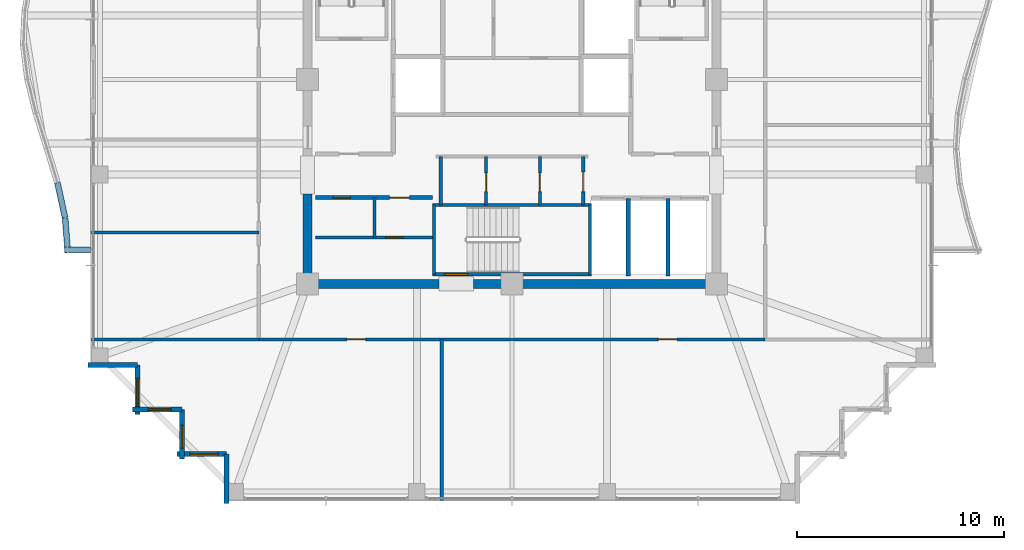
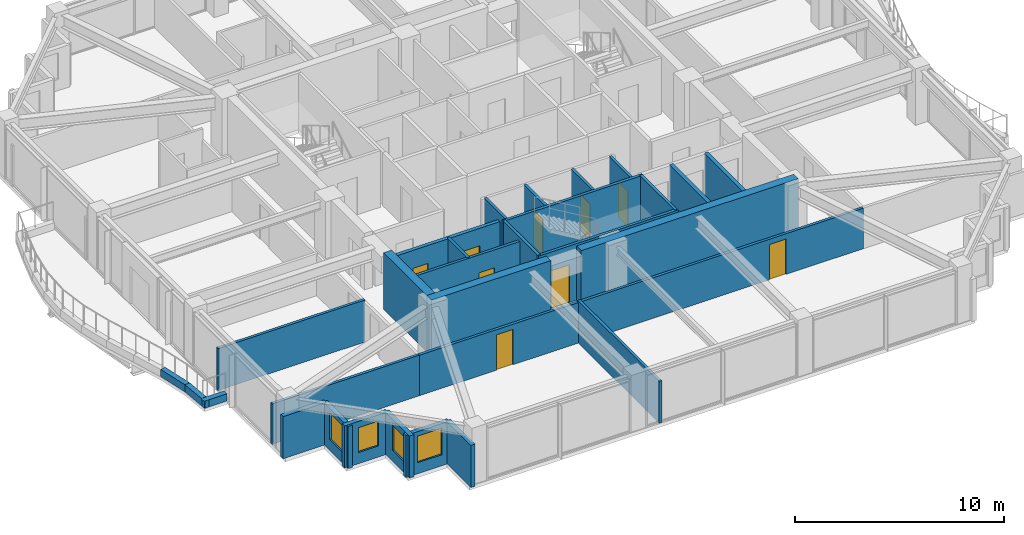
# One storey, part 28 of 34: 29 walls, 9 doors, 4 windows, 13 openings.
"""IFC4 building model written with IfcOpenShell, lengths in metres."""

from ifc_helpers import new_model, si_unit, direction, frame, frame_2d, origin, place, context, subcontext, project, spatial, rectangle, extrude, material, layer, layer_set, type_object, element, fill, save


model = new_model("IFC4")

# Units and contexts
model_context = context("Model", 3, precision=1e-05, world=origin(), true_north=direction((0.0, 1.0)))
body_context = subcontext(model_context, "Body", "Model", "MODEL_VIEW")
ifc_project = project(units=[si_unit("LENGTHUNIT", "METRE"), si_unit("AREAUNIT", "SQUARE_METRE"), si_unit("VOLUMEUNIT", "CUBIC_METRE"), si_unit("PLANEANGLEUNIT", "RADIAN"), si_unit("MASSUNIT", "GRAM", prefix="KILO")], contexts=[model_context])

# Site, building, storey
site_placement = place(None, origin())
site = spatial("IfcSite", under=ifc_project, at=site_placement, CompositionType="ELEMENT")
building_placement = place(site_placement, origin())
building = spatial("IfcBuilding", under=site, at=building_placement, Name="Kolvaren Belvedere", CompositionType="ELEMENT")
storey_placement = place(building_placement, frame((0.0, 0.0, 222.89990234375)))
storey = spatial("IfcBuildingStorey", under=building, at=storey_placement, Name="L65", CompositionType="ELEMENT", Elevation=222.89990234375)

# Walls
ifc_material_1 = material(Name="Concrete C50/60", Category="concrete")
ifc_layer_1 = layer(ifc_material_1, 0.449951171875)
ifc_layer_set_1 = layer_set([ifc_layer_1], Name="Concrete C50/60")
wall_type_1 = type_object("IfcWallType", Name="CW-CORE-450", PredefinedType="SHEAR", material=ifc_layer_set_1)
wall_1_placement = place(storey_placement, frame((10.125, -9.89990234375, 0.0), z_axis=(0.0, 0.0, 1.0), x_axis=(-1.0, 0.0, 0.0)))
element("IfcWall", 1, at=wall_1_placement, inside=storey, type_object=wall_type_1, Name="L65 South Core Shear Wall 1", PredefinedType="SHEAR", context=body_context, shape_type="SweptSolid", body=[
    extrude(rectangle(XDim=11.985107421875, YDim=0.449951171875, at=frame_2d((5.99267578125, 0.0))), origin(), (0.0, 0.0, 1.0), 3.300048828125),
])
wall_2_placement = place(storey_placement, frame((-3.5400390625, -9.89990234375, 0.0), z_axis=(0.0, 0.0, 1.0), x_axis=(-1.0, 0.0, 0.0)))
element("IfcWall", 2, at=wall_2_placement, inside=storey, type_object=wall_type_1, Name="L65 South Core Shear Wall 2", PredefinedType="SHEAR", context=body_context, shape_type="SweptSolid", body=[
    extrude(rectangle(XDim=6.5849609375, YDim=0.449951171875, at=frame_2d((3.29248046875, 0.0))), origin(), (0.0, 0.0, 1.0), 3.300048828125),
])
wall_3_placement = place(storey_placement, frame((-9.89990234375, -9.675048828125, 0.0), z_axis=(0.0, 0.0, 1.0), x_axis=(0.0, 1.0, 0.0)))
element("IfcWall", 3, at=wall_3_placement, inside=storey, type_object=wall_type_1, Name="L65 West Core Shear Wall 1", PredefinedType="SHEAR", context=body_context, shape_type="SweptSolid", body=[
    extrude(rectangle(XDim=4.125, YDim=0.449951171875, at=frame_2d((2.0625, 0.0))), origin(), (0.0, 0.0, 1.0), 3.300048828125),
])

# Wall, opening, door
ifc_material_2 = material(Name="Concrete C50/60", Category="concrete")
ifc_layer_2 = layer(ifc_material_2, 0.159912109375)
ifc_layer_set_2 = layer_set([ifc_layer_2], Name="Concrete C50/60")
wall_type_2 = type_object("IfcWallType", Name="CW-STAIR-160", PredefinedType="SHEAR", material=ifc_layer_set_2)
wall_4_placement = place(storey_placement, frame((3.860107421875, -9.429931640625, 0.0), z_axis=(0.0, 0.0, 1.0), x_axis=(-1.0, 0.0, 0.0)))
wall_4 = element("IfcWall", 4, at=wall_4_placement, inside=storey, type_object=wall_type_2, Name="L65 Stair ST-3 South Shear Wall", PredefinedType="SHEAR", context=body_context, shape_type="SweptSolid", body=[
    extrude(rectangle(XDim=7.72021484375, YDim=0.159912109375, at=frame_2d((3.860107421875, 0.0))), origin(), (0.0, 0.0, 1.0), 3.300048828125),
])
opening_1_placement = place(wall_4_placement, frame((6.010009765625, 0.0, 0.0)))
opening_1 = element("IfcOpeningElement", 5, at=opening_1_placement, cuts=wall_4, Name="Opening D-FD90", PredefinedType="OPENING", context=body_context, shape_type="SweptSolid", body=[
    extrude(rectangle(XDim=1.10009765625, YDim=2.199951171875, at=frame_2d((0.550048828125, 1.10009765625))), frame((0.0, 0.08984375, 0.0), z_axis=(0.0, -1.0, 0.0), x_axis=(1.0, 0.0, 0.0)), (0.0, 0.0, 1.0), 0.179931640625),
])
ifc_material_3 = material(Name="Painted hollow stainless steel", Category="steel")
door_type_1 = type_object("IfcDoorType", Name="DR-FD90-1100", OperationType="NOTDEFINED", PredefinedType="DOOR", material=ifc_material_3)
door_1_placement = place(opening_1_placement, origin())
door_1 = element("IfcDoor", 6, at=door_1_placement, inside=storey, type_object=door_type_1, Name="L65 Stair ST-3 Exit Door", OperationType="SINGLE_SWING_RIGHT", OverallHeight=2.199951171875, OverallWidth=1.10009765625, PredefinedType="DOOR", context=body_context, shape_type="SweptSolid", body=[
    extrude(rectangle(XDim=1.10009765625, YDim=2.199951171875, at=frame_2d((0.550048828125, 1.10009765625))), frame((0.0, 0.02490234375, 0.0), z_axis=(0.0, -1.0, 0.0), x_axis=(1.0, 0.0, 0.0)), (0.0, 0.0, 1.0), 0.050048828125),
])
fill(opening_1, door_1)

# Walls
wall_5_placement = place(storey_placement, frame((-3.860107421875, -6.080078125, 0.0), z_axis=(0.0, 0.0, 1.0), x_axis=(1.0, 0.0, 0.0)))
element("IfcWall", 7, at=wall_5_placement, inside=storey, type_object=wall_type_2, Name="L65 Stair ST-3 North Shear Wall", PredefinedType="SHEAR", context=body_context, shape_type="SweptSolid", body=[
    extrude(rectangle(XDim=7.72021484375, YDim=0.159912109375, at=frame_2d((3.860107421875, 0.0))), origin(), (0.0, 0.0, 1.0), 3.300048828125),
])
for number, where, z_axis, x_axis, name in (
    (8, (-3.780029296875, -9.429931640625, 0.0), (0.0, 0.0, 1.0), (0.0, 1.0, 0.0), "L65 Stair ST-3 West Shear Wall"),
    (9, (3.780029296875, -9.429931640625, 0.0), (0.0, 0.0, 1.0), (0.0, 1.0, 0.0), "L65 Stair ST-3 East Shear Wall"),
):
    element("IfcWall", number, at=place(storey_placement, frame(where, z_axis=z_axis, x_axis=x_axis)), inside=storey, type_object=wall_type_2, Name=name, PredefinedType="SHEAR", context=body_context, shape_type="SweptSolid", body=[
        extrude(rectangle(XDim=3.349853515625, YDim=0.159912109375, at=frame_2d((1.6748046875, 0.0))), origin(), (0.0, 0.0, 1.0), 3.300048828125),
    ])

# Wall, openings, doors
ifc_material_4 = material(Name="Gypsum fire-rated partition assembly", Category="gypsum")
ifc_layer_3 = layer(ifc_material_4, 0.14990234375)
ifc_layer_set_3 = layer_set([ifc_layer_3], Name="Gypsum fire-rated partition assembly")
wall_type_3 = type_object("IfcWallType", Name="WL-CORR-150", PredefinedType="PARTITIONING", material=ifc_layer_set_3)
wall_6_placement = place(storey_placement, frame((-12.260009765625, -12.580078125, 0.0), z_axis=(0.0, 0.0, 1.0), x_axis=(1.0, 0.0, 0.0)))
wall_6 = element("IfcWall", 10, at=wall_6_placement, inside=storey, type_object=wall_type_3, Name="L65 South Corridor Wall", PredefinedType="PARTITIONING", context=body_context, shape_type="SweptSolid", body=[
    extrude(rectangle(XDim=24.52001953125, YDim=0.14990234375, at=frame_2d((12.260009765625, 0.0))), origin(), (0.0, 0.0, 1.0), 2.369140625),
])
opening_2_placement = place(wall_6_placement, frame((4.27490234375, 0.0, 0.0)))
opening_2 = element("IfcOpeningElement", 11, at=opening_2_placement, cuts=wall_6, Name="Opening D-INT90", PredefinedType="OPENING", context=body_context, shape_type="SweptSolid", body=[
    extrude(rectangle(XDim=0.89990234375, YDim=2.06005859375, at=frame_2d((0.449951171875, 1.030029296875))), frame((0.0, 0.0849609375, 0.0), z_axis=(0.0, -1.0, 0.0), x_axis=(1.0, 0.0, 0.0)), (0.0, 0.0, 1.0), 0.169921875),
])
opening_3_placement = place(wall_6_placement, frame((19.344970703125, 0.0, 0.0)))
opening_3 = element("IfcOpeningElement", 12, at=opening_3_placement, cuts=wall_6, Name="Opening D-INT90", PredefinedType="OPENING", context=body_context, shape_type="SweptSolid", body=[
    extrude(rectangle(XDim=0.89990234375, YDim=2.06005859375, at=frame_2d((0.449951171875, 1.030029296875))), frame((0.0, 0.0849609375, 0.0), z_axis=(0.0, -1.0, 0.0), x_axis=(1.0, 0.0, 0.0)), (0.0, 0.0, 1.0), 0.169921875),
])
ifc_material_5 = material(Name="Stained Pacific white oak", Category="timber")
door_type_2 = type_object("IfcDoorType", Name="DR-INT-900", OperationType="NOTDEFINED", PredefinedType="DOOR", material=ifc_material_5)
door_2_placement = place(opening_2_placement, origin())
door_2 = element("IfcDoor", 13, at=door_2_placement, inside=storey, type_object=door_type_2, Name="L65 Lounge 6501 Door", OperationType="SINGLE_SWING_RIGHT", OverallHeight=2.06005859375, OverallWidth=0.89990234375, PredefinedType="DOOR", context=body_context, shape_type="SweptSolid", body=[
    extrude(rectangle(XDim=0.89990234375, YDim=2.06005859375, at=frame_2d((0.449951171875, 1.030029296875))), frame((0.0, 0.02490234375, 0.0), z_axis=(0.0, -1.0, 0.0), x_axis=(1.0, 0.0, 0.0)), (0.0, 0.0, 1.0), 0.050048828125),
])
fill(opening_2, door_2)
door_3_placement = place(opening_3_placement, origin())
door_3 = element("IfcDoor", 14, at=door_3_placement, inside=storey, type_object=door_type_2, Name="L65 Lounge 6502 Door", OperationType="SINGLE_SWING_LEFT", OverallHeight=2.06005859375, OverallWidth=0.89990234375, PredefinedType="DOOR", context=body_context, shape_type="SweptSolid", body=[
    extrude(rectangle(XDim=0.89990234375, YDim=2.06005859375, at=frame_2d((0.449951171875, 1.030029296875))), frame((0.0, 0.02490234375, 0.0), z_axis=(0.0, -1.0, 0.0), x_axis=(1.0, 0.0, 0.0)), (0.0, 0.0, 1.0), 0.050048828125),
])
fill(opening_3, door_3)

# Wall
ifc_material_6 = material(Name="Insulated pale-metal facade wall assembly", Category="aluminium")
ifc_layer_4 = layer(ifc_material_6, 0.239990234375)
ifc_layer_set_4 = layer_set([ifc_layer_4], Name="Insulated pale-metal facade wall assembly")
wall_type_4 = type_object("IfcWallType", Name="WL-EXT-240", PredefinedType="STANDARD", material=ifc_layer_set_4)
wall_7_placement = place(storey_placement, frame((-18.1298828125, -13.830078125, 0.0), z_axis=(0.0, 0.0, 1.0), x_axis=(-1.0, 0.0, 0.0)))
element("IfcWall", 15, at=wall_7_placement, inside=storey, type_object=wall_type_4, Name="L65 Serrated Corner Facade Wall 23", PredefinedType="STANDARD", context=body_context, shape_type="SweptSolid", body=[
    extrude(rectangle(XDim=2.39013671875, YDim=0.239990234375, at=frame_2d((1.195068359375, 0.0))), origin(), (0.0, 0.0, 1.0), 2.463134765625),
])

# Wall, opening, window
wall_8_placement = place(storey_placement, frame((-18.1298828125, -16.219970703125, 0.0), z_axis=(0.0, 0.0, 1.0), x_axis=(0.0, 1.0, 0.0)))
wall_8 = element("IfcWall", 16, at=wall_8_placement, inside=storey, type_object=wall_type_4, Name="L65 Serrated Corner Facade Wall 24", PredefinedType="STANDARD", context=body_context, shape_type="SweptSolid", body=[
    extrude(rectangle(XDim=2.389892578125, YDim=0.239990234375, at=frame_2d((1.19482421875, 0.0))), origin(), (0.0, 0.0, 1.0), 2.463134765625),
])
opening_4_placement = place(wall_8_placement, frame((0.39990234375, 0.0, 0.64990234375)))
opening_4 = element("IfcOpeningElement", 17, at=opening_4_placement, cuts=wall_8, Name="Opening W-1350", PredefinedType="OPENING", context=body_context, shape_type="SweptSolid", body=[
    extrude(rectangle(XDim=1.35009765625, YDim=1.550048828125, at=frame_2d((0.675048828125, 0.77490234375))), frame((0.0, 0.1298828125, 0.0), z_axis=(0.0, -1.0, 0.0), x_axis=(1.0, 0.0, 0.0)), (0.0, 0.0, 1.0), 0.260009765625),
])
ifc_material_7 = material(Name="Low-iron triple insulated glass", Category="glass")
window_type_1 = type_object("IfcWindowType", Name="WN-CORN-1350", PartitioningType="SINGLE_PANEL", PredefinedType="WINDOW", material=ifc_material_7)
window_1_placement = place(opening_4_placement, origin())
window_1 = element("IfcWindow", 18, at=window_1_placement, inside=storey, type_object=window_type_1, Name="L65 Serrated Corner Vision Window 24", OverallHeight=1.550048828125, OverallWidth=1.35009765625, PartitioningType="SINGLE_PANEL", PredefinedType="WINDOW", context=body_context, shape_type="SweptSolid", body=[
    extrude(rectangle(XDim=1.35009765625, YDim=1.550048828125, at=frame_2d((0.675048828125, 0.77490234375))), frame((0.0, 0.030029296875, 0.0), z_axis=(0.0, -1.0, 0.0), x_axis=(1.0, 0.0, 0.0)), (0.0, 0.0, 1.0), 0.06005859375),
])
fill(opening_4, window_1)

wall_9_placement = place(storey_placement, frame((-15.97998046875, -15.97998046875, 0.0), z_axis=(0.0, 0.0, 1.0), x_axis=(-1.0, 0.0, 0.0)))
wall_9 = element("IfcWall", 19, at=wall_9_placement, inside=storey, type_object=wall_type_4, Name="L65 Serrated Corner Facade Wall 25", PredefinedType="STANDARD", context=body_context, shape_type="SweptSolid", body=[
    extrude(rectangle(XDim=2.39013671875, YDim=0.239990234375, at=frame_2d((1.195068359375, 0.0))), origin(), (0.0, 0.0, 1.0), 2.463134765625),
])
opening_5_placement = place(wall_9_placement, frame((0.52490234375, 0.0, 0.64990234375)))
opening_5 = element("IfcOpeningElement", 20, at=opening_5_placement, cuts=wall_9, Name="Opening W-1100", PredefinedType="OPENING", context=body_context, shape_type="SweptSolid", body=[
    extrude(rectangle(XDim=1.10009765625, YDim=1.449951171875, at=frame_2d((0.550048828125, 0.72509765625))), frame((0.0, 0.1298828125, 0.0), z_axis=(0.0, -1.0, 0.0), x_axis=(1.0, 0.0, 0.0)), (0.0, 0.0, 1.0), 0.260009765625),
])
ifc_material_8 = material(Name="Low-iron triple insulated glass", Category="glass")
window_type_2 = type_object("IfcWindowType", Name="WN-CORN-1100", PartitioningType="SINGLE_PANEL", PredefinedType="WINDOW", material=ifc_material_8)
window_2_placement = place(opening_5_placement, origin())
window_2 = element("IfcWindow", 21, at=window_2_placement, inside=storey, type_object=window_type_2, Name="L65 Serrated Corner Vision Window 25", OverallHeight=1.449951171875, OverallWidth=1.10009765625, PartitioningType="SINGLE_PANEL", PredefinedType="WINDOW", context=body_context, shape_type="SweptSolid", body=[
    extrude(rectangle(XDim=1.10009765625, YDim=1.449951171875, at=frame_2d((0.550048828125, 0.72509765625))), frame((0.0, 0.030029296875, 0.0), z_axis=(0.0, -1.0, 0.0), x_axis=(1.0, 0.0, 0.0)), (0.0, 0.0, 1.0), 0.06005859375),
])
fill(opening_5, window_2)

wall_10_placement = place(storey_placement, frame((-15.97998046875, -18.3701171875, 0.0), z_axis=(0.0, 0.0, 1.0), x_axis=(0.0, 1.0, 0.0)))
wall_10 = element("IfcWall", 22, at=wall_10_placement, inside=storey, type_object=wall_type_4, Name="L65 Serrated Corner Facade Wall 26", PredefinedType="STANDARD", context=body_context, shape_type="SweptSolid", body=[
    extrude(rectangle(XDim=2.39013671875, YDim=0.239990234375, at=frame_2d((1.195068359375, 0.0))), origin(), (0.0, 0.0, 1.0), 2.463134765625),
])
opening_6_placement = place(wall_10_placement, frame((0.52490234375, 0.0, 0.64990234375)))
opening_6 = element("IfcOpeningElement", 23, at=opening_6_placement, cuts=wall_10, Name="Opening W-1100", PredefinedType="OPENING", context=body_context, shape_type="SweptSolid", body=[
    extrude(rectangle(XDim=1.10009765625, YDim=1.449951171875, at=frame_2d((0.550048828125, 0.72509765625))), frame((0.0, 0.1298828125, 0.0), z_axis=(0.0, -1.0, 0.0), x_axis=(1.0, 0.0, 0.0)), (0.0, 0.0, 1.0), 0.260009765625),
])
window_3_placement = place(opening_6_placement, origin())
window_3 = element("IfcWindow", 24, at=window_3_placement, inside=storey, type_object=window_type_2, Name="L65 Serrated Corner Vision Window 26", OverallHeight=1.449951171875, OverallWidth=1.10009765625, PartitioningType="SINGLE_PANEL", PredefinedType="WINDOW", context=body_context, shape_type="SweptSolid", body=[
    extrude(rectangle(XDim=1.10009765625, YDim=1.449951171875, at=frame_2d((0.550048828125, 0.72509765625))), frame((0.0, 0.030029296875, 0.0), z_axis=(0.0, -1.0, 0.0), x_axis=(1.0, 0.0, 0.0)), (0.0, 0.0, 1.0), 0.06005859375),
])
fill(opening_6, window_3)

wall_11_placement = place(storey_placement, frame((-13.830078125, -18.1298828125, 0.0), z_axis=(0.0, 0.0, 1.0), x_axis=(-1.0, 0.0, 0.0)))
wall_11 = element("IfcWall", 25, at=wall_11_placement, inside=storey, type_object=wall_type_4, Name="L65 Serrated Corner Facade Wall 27", PredefinedType="STANDARD", context=body_context, shape_type="SweptSolid", body=[
    extrude(rectangle(XDim=2.389892578125, YDim=0.239990234375, at=frame_2d((1.19482421875, 0.0))), origin(), (0.0, 0.0, 1.0), 2.463134765625),
])
opening_7_placement = place(wall_11_placement, frame((0.39990234375, 0.0, 0.64990234375)))
opening_7 = element("IfcOpeningElement", 26, at=opening_7_placement, cuts=wall_11, Name="Opening W-1350", PredefinedType="OPENING", context=body_context, shape_type="SweptSolid", body=[
    extrude(rectangle(XDim=1.35009765625, YDim=1.550048828125, at=frame_2d((0.675048828125, 0.77490234375))), frame((0.0, 0.1298828125, 0.0), z_axis=(0.0, -1.0, 0.0), x_axis=(1.0, 0.0, 0.0)), (0.0, 0.0, 1.0), 0.260009765625),
])
window_4_placement = place(opening_7_placement, origin())
window_4 = element("IfcWindow", 27, at=window_4_placement, inside=storey, type_object=window_type_1, Name="L65 Serrated Corner Vision Window 27", OverallHeight=1.550048828125, OverallWidth=1.35009765625, PartitioningType="SINGLE_PANEL", PredefinedType="WINDOW", context=body_context, shape_type="SweptSolid", body=[
    extrude(rectangle(XDim=1.35009765625, YDim=1.550048828125, at=frame_2d((0.675048828125, 0.77490234375))), frame((0.0, 0.030029296875, 0.0), z_axis=(0.0, -1.0, 0.0), x_axis=(1.0, 0.0, 0.0)), (0.0, 0.0, 1.0), 0.06005859375),
])
fill(opening_7, window_4)

# Wall
wall_12_placement = place(storey_placement, frame((-13.830078125, -20.52001953125, 0.0), z_axis=(0.0, 0.0, 1.0), x_axis=(0.0, 1.0, 0.0)))
element("IfcWall", 28, at=wall_12_placement, inside=storey, type_object=wall_type_4, Name="L65 Serrated Corner Facade Wall 28", PredefinedType="STANDARD", context=body_context, shape_type="SweptSolid", body=[
    extrude(rectangle(XDim=2.39013671875, YDim=0.239990234375, at=frame_2d((1.195068359375, 0.0))), origin(), (0.0, 0.0, 1.0), 2.463134765625),
])

# Wall, opening, door
ifc_material_9 = material(Name="Gypsum acoustic partition assembly", Category="gypsum")
ifc_layer_5 = layer(ifc_material_9, 0.14990234375)
ifc_layer_set_5 = layer_set([ifc_layer_5], Name="Gypsum acoustic partition assembly")
wall_type_5 = type_object("IfcWallType", Name="WL-PART-150", PredefinedType="PARTITIONING", material=ifc_layer_set_5)
wall_13_placement = place(storey_placement, frame((-9.52001953125, -7.64990234375, 0.0), z_axis=(0.0, 0.0, 1.0), x_axis=(1.0, 0.0, 0.0)))
wall_13 = element("IfcWall", 29, at=wall_13_placement, inside=storey, type_object=wall_type_5, Name="L65 Reclaimed Mid H-Divider", PredefinedType="PARTITIONING", context=body_context, shape_type="SweptSolid", body=[
    extrude(rectangle(XDim=5.659912109375, YDim=0.14990234375, at=frame_2d((2.830078125, 0.0))), origin(), (0.0, 0.0, 1.0), 3.080078125),
])
opening_8_placement = place(wall_13_placement, frame((3.39990234375, 0.0, 0.0)))
opening_8 = element("IfcOpeningElement", 30, at=opening_8_placement, cuts=wall_13, Name="Opening D-INT85", PredefinedType="OPENING", context=body_context, shape_type="SweptSolid", body=[
    extrude(rectangle(XDim=0.85009765625, YDim=2.030029296875, at=frame_2d((0.425048828125, 1.01513671875))), frame((0.0, 0.0849609375, 0.0), z_axis=(0.0, -1.0, 0.0), x_axis=(1.0, 0.0, 0.0)), (0.0, 0.0, 1.0), 0.169921875),
])
ifc_material_10 = material(Name="Stained Pacific white oak", Category="timber")
door_type_3 = type_object("IfcDoorType", Name="DR-INT-850", OperationType="NOTDEFINED", PredefinedType="DOOR", material=ifc_material_10)
door_4_placement = place(opening_8_placement, origin())
door_4 = element("IfcDoor", 31, at=door_4_placement, inside=storey, type_object=door_type_3, Name="L65 Tea Pantry Door", OperationType="SINGLE_SWING_LEFT", OverallHeight=2.030029296875, OverallWidth=0.85009765625, PredefinedType="DOOR", context=body_context, shape_type="SweptSolid", body=[
    extrude(rectangle(XDim=0.85009765625, YDim=2.030029296875, at=frame_2d((0.425048828125, 1.01513671875))), frame((0.0, 0.02490234375, 0.0), z_axis=(0.0, -1.0, 0.0), x_axis=(1.0, 0.0, 0.0)), (0.0, 0.0, 1.0), 0.050048828125),
])
fill(opening_8, door_4)

# Wall
wall_14_placement = place(storey_placement, frame((-6.64990234375, -7.64990234375, 0.0), z_axis=(0.0, 0.0, 1.0), x_axis=(0.0, 1.0, 0.0)))
element("IfcWall", 32, at=wall_14_placement, inside=storey, type_object=wall_type_5, Name="L65 Reclaimed Mid V-Divider", PredefinedType="PARTITIONING", context=body_context, shape_type="SweptSolid", body=[
    extrude(rectangle(XDim=1.929931640625, YDim=0.14990234375, at=frame_2d((0.96484375, 0.0))), origin(), (0.0, 0.0, 1.0), 3.080078125),
])

# Wall, opening, door
wall_15_placement = place(storey_placement, frame((3.449951171875, -6.080078125, 0.0), z_axis=(0.0, 0.0, 1.0), x_axis=(0.0, 1.0, 0.0)))
wall_15 = element("IfcWall", 33, at=wall_15_placement, inside=storey, type_object=wall_type_5, Name="L65 South Core Service East Wall", PredefinedType="PARTITIONING", context=body_context, shape_type="SweptSolid", body=[
    extrude(rectangle(XDim=2.360107421875, YDim=0.14990234375, at=frame_2d((1.18017578125, 0.0))), origin(), (0.0, 0.0, 1.0), 3.080078125),
])
opening_9_placement = place(wall_15_placement, frame((0.64990234375, 0.0, 0.0)))
opening_9 = element("IfcOpeningElement", 34, at=opening_9_placement, cuts=wall_15, Name="Opening D-FD60", PredefinedType="OPENING", context=body_context, shape_type="SweptSolid", body=[
    extrude(rectangle(XDim=0.949951171875, YDim=2.06005859375, at=frame_2d((0.47509765625, 1.030029296875))), frame((0.0, 0.0849609375, 0.0), z_axis=(0.0, -1.0, 0.0), x_axis=(1.0, 0.0, 0.0)), (0.0, 0.0, 1.0), 0.169921875),
])
ifc_material_11 = material(Name="Acoustic white-oak fire door leaf", Category="timber")
door_type_4 = type_object("IfcDoorType", Name="DR-FD60-950", OperationType="NOTDEFINED", PredefinedType="DOOR", material=ifc_material_11)
door_5_placement = place(opening_9_placement, origin())
door_5 = element("IfcDoor", 35, at=door_5_placement, inside=storey, type_object=door_type_4, Name="L65 Core Service Room Door", OperationType="SINGLE_SWING_LEFT", OverallHeight=2.06005859375, OverallWidth=0.949951171875, PredefinedType="DOOR", context=body_context, shape_type="SweptSolid", body=[
    extrude(rectangle(XDim=0.949951171875, YDim=2.06005859375, at=frame_2d((0.47509765625, 1.030029296875))), frame((0.0, 0.02490234375, 0.0), z_axis=(0.0, -1.0, 0.0), x_axis=(1.0, 0.0, 0.0)), (0.0, 0.0, 1.0), 0.050048828125),
])
fill(opening_9, door_5)

# Wall
wall_16_placement = place(storey_placement, frame((-3.449951171875, -6.080078125, 0.0), z_axis=(0.0, 0.0, 1.0), x_axis=(0.0, 1.0, 0.0)))
element("IfcWall", 36, at=wall_16_placement, inside=storey, type_object=wall_type_5, Name="L65 South Core Service West Wall", PredefinedType="PARTITIONING", context=body_context, shape_type="SweptSolid", body=[
    extrude(rectangle(XDim=2.360107421875, YDim=0.14990234375, at=frame_2d((1.18017578125, 0.0))), origin(), (0.0, 0.0, 1.0), 3.080078125),
])

# Wall, opening, door
wall_17_placement = place(storey_placement, frame((1.35009765625, -6.080078125, 0.0), z_axis=(0.0, 0.0, 1.0), x_axis=(0.0, 1.0, 0.0)))
wall_17 = element("IfcWall", 37, at=wall_17_placement, inside=storey, type_object=wall_type_5, Name="L65 Core Service Divider 1", PredefinedType="PARTITIONING", context=body_context, shape_type="SweptSolid", body=[
    extrude(rectangle(XDim=2.360107421875, YDim=0.14990234375, at=frame_2d((1.18017578125, 0.0))), origin(), (0.0, 0.0, 1.0), 3.080078125),
])
opening_10_placement = place(wall_17_placement, frame((0.64990234375, 0.0, 0.0)))
opening_10 = element("IfcOpeningElement", 38, at=opening_10_placement, cuts=wall_17, Name="Opening D-INT90", PredefinedType="OPENING", context=body_context, shape_type="SweptSolid", body=[
    extrude(rectangle(XDim=0.89990234375, YDim=2.06005859375, at=frame_2d((0.449951171875, 1.030029296875))), frame((0.0, 0.0849609375, 0.0), z_axis=(0.0, -1.0, 0.0), x_axis=(1.0, 0.0, 0.0)), (0.0, 0.0, 1.0), 0.169921875),
])
door_6_placement = place(opening_10_placement, origin())
door_6 = element("IfcDoor", 39, at=door_6_placement, inside=storey, type_object=door_type_2, Name="L65 Data Closet Door", OperationType="SINGLE_SWING_RIGHT", OverallHeight=2.06005859375, OverallWidth=0.89990234375, PredefinedType="DOOR", context=body_context, shape_type="SweptSolid", body=[
    extrude(rectangle(XDim=0.89990234375, YDim=2.06005859375, at=frame_2d((0.449951171875, 1.030029296875))), frame((0.0, 0.02490234375, 0.0), z_axis=(0.0, -1.0, 0.0), x_axis=(1.0, 0.0, 0.0)), (0.0, 0.0, 1.0), 0.050048828125),
])
fill(opening_10, door_6)

wall_18_placement = place(storey_placement, frame((-1.25, -6.080078125, 0.0), z_axis=(0.0, 0.0, 1.0), x_axis=(0.0, 1.0, 0.0)))
wall_18 = element("IfcWall", 40, at=wall_18_placement, inside=storey, type_object=wall_type_5, Name="L65 Core Service Divider 2", PredefinedType="PARTITIONING", context=body_context, shape_type="SweptSolid", body=[
    extrude(rectangle(XDim=2.360107421875, YDim=0.14990234375, at=frame_2d((1.18017578125, 0.0))), origin(), (0.0, 0.0, 1.0), 3.080078125),
])
opening_11_placement = place(wall_18_placement, frame((0.64990234375, 0.0, 0.0)))
opening_11 = element("IfcOpeningElement", 41, at=opening_11_placement, cuts=wall_18, Name="Opening D-INT90", PredefinedType="OPENING", context=body_context, shape_type="SweptSolid", body=[
    extrude(rectangle(XDim=0.89990234375, YDim=2.06005859375, at=frame_2d((0.449951171875, 1.030029296875))), frame((0.0, 0.0849609375, 0.0), z_axis=(0.0, -1.0, 0.0), x_axis=(1.0, 0.0, 0.0)), (0.0, 0.0, 1.0), 0.169921875),
])
door_7_placement = place(opening_11_placement, origin())
door_7 = element("IfcDoor", 42, at=door_7_placement, inside=storey, type_object=door_type_2, Name="L65 Janitor Room Door", OperationType="SINGLE_SWING_LEFT", OverallHeight=2.06005859375, OverallWidth=0.89990234375, PredefinedType="DOOR", context=body_context, shape_type="SweptSolid", body=[
    extrude(rectangle(XDim=0.89990234375, YDim=2.06005859375, at=frame_2d((0.449951171875, 1.030029296875))), frame((0.0, 0.02490234375, 0.0), z_axis=(0.0, -1.0, 0.0), x_axis=(1.0, 0.0, 0.0)), (0.0, 0.0, 1.0), 0.050048828125),
])
fill(opening_11, door_7)

# Walls
wall_19_placement = place(storey_placement, frame((-20.3798828125, -12.580078125, 0.0), z_axis=(0.0, 0.0, 1.0), x_axis=(1.0, 0.0, 0.0)))
element("IfcWall", 43, at=wall_19_placement, inside=storey, type_object=wall_type_5, Name="L65 Wing Divider PW-L65-QSW", PredefinedType="PARTITIONING", context=body_context, shape_type="SweptSolid", body=[
    extrude(rectangle(XDim=8.119873046875, YDim=0.14990234375, at=frame_2d((4.06005859375, 0.0))), origin(), (0.0, 0.0, 1.0), 2.369140625),
])
wall_20_placement = place(storey_placement, frame((-3.39990234375, -20.3798828125, 0.0), z_axis=(0.0, 0.0, 1.0), x_axis=(0.0, 1.0, 0.0)))
element("IfcWall", 44, at=wall_20_placement, inside=storey, type_object=wall_type_5, Name="L65 South Suite Demising Wall 1", PredefinedType="PARTITIONING", context=body_context, shape_type="SweptSolid", body=[
    extrude(rectangle(XDim=7.7998046875, YDim=0.14990234375, at=frame_2d((3.89990234375, 0.0))), origin(), (0.0, 0.0, 1.0), 2.453125),
])
wall_21_placement = place(storey_placement, frame((-20.3798828125, -7.39990234375, 0.0), z_axis=(0.0, 0.0, 1.0), x_axis=(1.0, 0.0, 0.0)))
element("IfcWall", 45, at=wall_21_placement, inside=storey, type_object=wall_type_5, Name="L65 West Suite Demising Wall 1", PredefinedType="PARTITIONING", context=body_context, shape_type="SweptSolid", body=[
    extrude(rectangle(XDim=8.119873046875, YDim=0.14990234375, at=frame_2d((4.06005859375, 0.0))), origin(), (0.0, 0.0, 1.0), 2.453125),
])
ifc_material_12 = material(Name="Precast concrete C40/50", Category="concrete")
ifc_layer_6 = layer(ifc_material_12, 0.300048828125)
ifc_layer_set_6 = layer_set([ifc_layer_6], Name="Precast concrete C40/50")
wall_type_6 = type_object("IfcWallType", Name="WL-PLANTER-300", PredefinedType="PARAPET", material=ifc_layer_set_6)
wall_22_placement = place(storey_placement, frame((-22.0048828125, -5.005859375, -0.039794921875), z_axis=(0.0, 0.0, 1.0), x_axis=(0.213802724545, -0.976876857632, 0.0)))
element("IfcWall", 46, at=wall_22_placement, inside=storey, type_object=wall_type_6, Name="L65 Precast Structural Planter Wall BAL-W-9", PredefinedType="PARAPET", context=body_context, shape_type="SweptSolid", body=[
    extrude(rectangle(XDim=1.7197265625, YDim=0.280029296875, at=frame_2d((0.85986328125, 0.0))), origin(), (0.0, 0.0, 1.0), 0.419921875),
])
wall_23_placement = place(storey_placement, frame((-21.634033203125, -6.707275390625, -0.039794921875), z_axis=(0.0, 0.0, 1.0), x_axis=(0.079244268248, -0.99685522818, 0.0)))
element("IfcWall", 47, at=wall_23_placement, inside=storey, type_object=wall_type_6, Name="L65 Precast Structural Planter Wall BAL-W-10", PredefinedType="PARAPET", context=body_context, shape_type="SweptSolid", body=[
    extrude(rectangle(XDim=1.685302734375, YDim=0.280029296875, at=frame_2d((0.8427734375, 0.0))), origin(), (0.0, 0.0, 1.0), 0.419921875),
])
wall_24_placement = place(storey_placement, frame((-21.659912109375, -8.239990234375, -0.039794921875), z_axis=(0.0, 0.0, 1.0), x_axis=(1.0, 0.0, 0.0)))
element("IfcWall", 48, at=wall_24_placement, inside=storey, type_object=wall_type_6, Name="L65 Precast Structural Planter Wall BAL-W-11", PredefinedType="PARAPET", context=body_context, shape_type="SweptSolid", body=[
    extrude(rectangle(XDim=1.260009765625, YDim=0.280029296875, at=frame_2d((0.6298828125, 0.0))), origin(), (0.0, 0.0, 1.0), 0.419921875),
])

# Wall, openings, doors
ifc_material_13 = material(Name="Concrete C50/60", Category="concrete")
ifc_layer_7 = layer(ifc_material_13, 0.199951171875)
ifc_layer_set_7 = layer_set([ifc_layer_7], Name="Concrete C50/60")
wall_type_7 = type_object("IfcWallType", Name="WL-SHAFT-200", PredefinedType="SOLIDWALL", material=ifc_layer_set_7)
wall_25_placement = place(storey_placement, frame((-9.52001953125, -5.719970703125, 0.0), z_axis=(0.0, 0.0, 1.0), x_axis=(1.0, 0.0, 0.0)))
wall_25 = element("IfcWall", 49, at=wall_25_placement, inside=storey, type_object=wall_type_7, Name="L65 Reclaimed Mid Room North Wall", PredefinedType="SOLIDWALL", context=body_context, shape_type="SweptSolid", body=[
    extrude(rectangle(XDim=5.659912109375, YDim=0.199951171875, at=frame_2d((2.830078125, 0.0))), origin(), (0.0, 0.0, 1.0), 3.080078125),
])
opening_12_placement = place(wall_25_placement, frame((3.60009765625, 0.0, 0.0)))
opening_12 = element("IfcOpeningElement", 50, at=opening_12_placement, cuts=wall_25, Name="Opening D-FD60", PredefinedType="OPENING", context=body_context, shape_type="SweptSolid", body=[
    extrude(rectangle(XDim=0.949951171875, YDim=2.06005859375, at=frame_2d((0.47509765625, 1.030029296875))), frame((0.0, 0.10986328125, 0.0), z_axis=(0.0, -1.0, 0.0), x_axis=(1.0, 0.0, 0.0)), (0.0, 0.0, 1.0), 0.219970703125),
])
opening_13_placement = place(wall_25_placement, frame((0.85009765625, 0.0, 0.0)))
opening_13 = element("IfcOpeningElement", 51, at=opening_13_placement, cuts=wall_25, Name="Opening D-INT85", PredefinedType="OPENING", context=body_context, shape_type="SweptSolid", body=[
    extrude(rectangle(XDim=0.85009765625, YDim=2.030029296875, at=frame_2d((0.425048828125, 1.01513671875))), frame((0.0, 0.10986328125, 0.0), z_axis=(0.0, -1.0, 0.0), x_axis=(1.0, 0.0, 0.0)), (0.0, 0.0, 1.0), 0.219970703125),
])
door_8_placement = place(opening_12_placement, origin())
door_8 = element("IfcDoor", 52, at=door_8_placement, inside=storey, type_object=door_type_4, Name="L65 Wellness Salon Door", OperationType="SINGLE_SWING_LEFT", OverallHeight=2.06005859375, OverallWidth=0.949951171875, PredefinedType="DOOR", context=body_context, shape_type="SweptSolid", body=[
    extrude(rectangle(XDim=0.949951171875, YDim=2.06005859375, at=frame_2d((0.47509765625, 1.030029296875))), frame((0.0, 0.02490234375, 0.0), z_axis=(0.0, -1.0, 0.0), x_axis=(1.0, 0.0, 0.0)), (0.0, 0.0, 1.0), 0.050048828125),
])
fill(opening_12, door_8)
door_9_placement = place(opening_13_placement, origin())
door_9 = element("IfcDoor", 53, at=door_9_placement, inside=storey, type_object=door_type_3, Name="L65 Linen Closet Door", OperationType="SINGLE_SWING_RIGHT", OverallHeight=2.030029296875, OverallWidth=0.85009765625, PredefinedType="DOOR", context=body_context, shape_type="SweptSolid", body=[
    extrude(rectangle(XDim=0.85009765625, YDim=2.030029296875, at=frame_2d((0.425048828125, 1.01513671875))), frame((0.0, 0.02490234375, 0.0), z_axis=(0.0, -1.0, 0.0), x_axis=(1.0, 0.0, 0.0)), (0.0, 0.0, 1.0), 0.050048828125),
])
fill(opening_13, door_9)

# Walls
for number, where, z_axis, x_axis, name in (
    (54, (5.6298828125, -9.52001953125, 0.0), (0.0, 0.0, 1.0), (0.0, 1.0, 0.0), "L65 High-Rise Hoistway Divider 1"),
    (55, (7.56005859375, -9.52001953125, 0.0), (0.0, 0.0, 1.0), (0.0, 1.0, 0.0), "L65 High-Rise Hoistway Divider 2"),
):
    element("IfcWall", number, at=place(storey_placement, frame(where, z_axis=z_axis, x_axis=x_axis)), inside=storey, type_object=wall_type_7, Name=name, PredefinedType="SOLIDWALL", context=body_context, shape_type="SweptSolid", body=[
        extrude(rectangle(XDim=3.77001953125, YDim=0.199951171875, at=frame_2d((1.885009765625, 0.0))), origin(), (0.0, 0.0, 1.0), 3.080078125),
    ])

save(model, "model.ifc")
